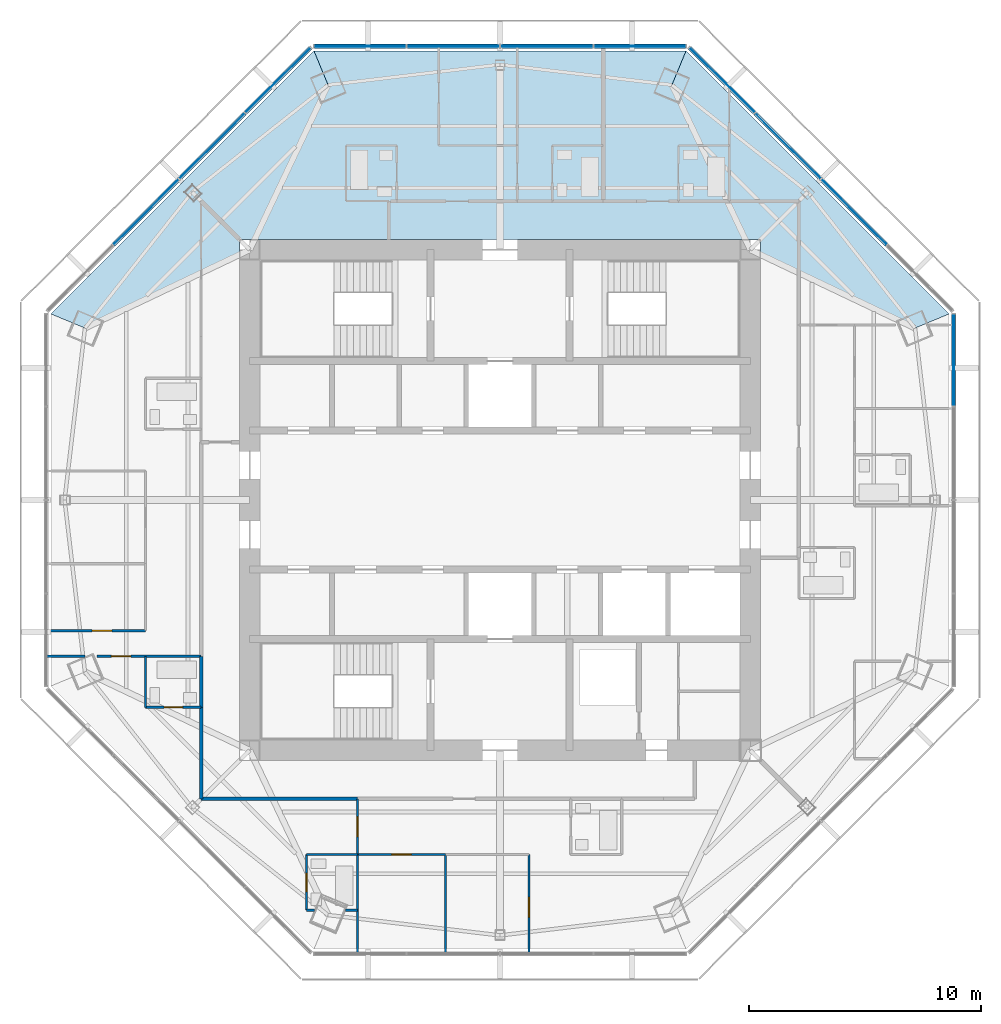
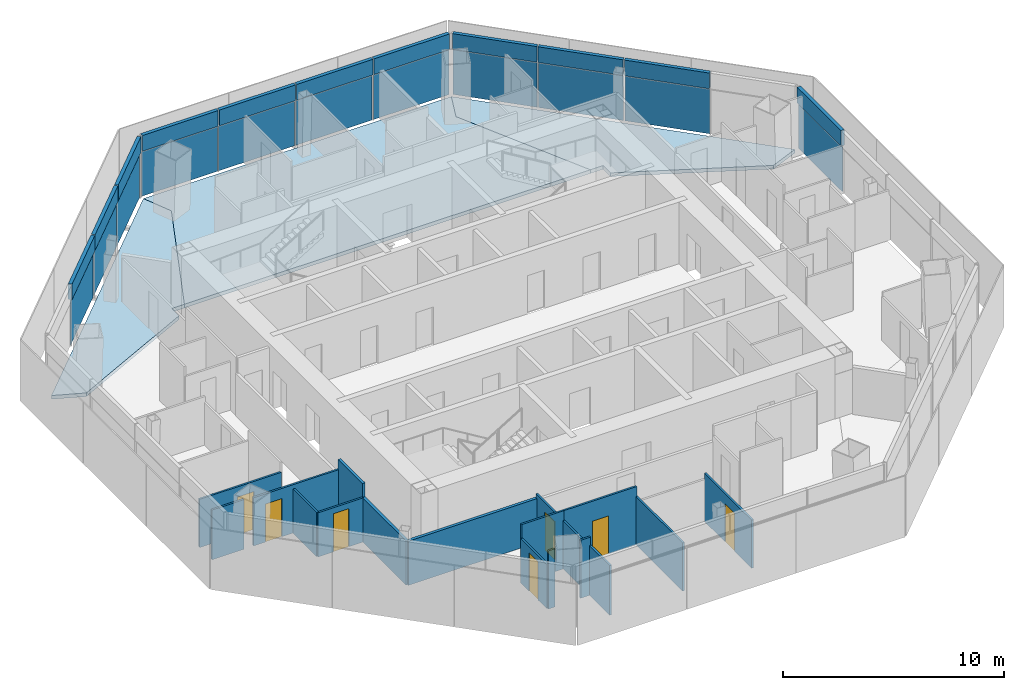
# One storey, part 8 of 15: 22 plates, 18 walls, 7 doors, 3 slabs, 7 openings, 4 elements without a shape of their own.
"""IFC4 building model written with IfcOpenShell, lengths in metres."""

from ifc_helpers import new_model, si_unit, direction, frame, frame_2d, origin, origin_2d, place, context, subcontext, project, spatial, polyline, rectangle, outline, extrude, source, transform, mapped, material, layer, layer_set, type_object, type_shapes, element, fill, aggregate, save


model = new_model("IFC4")

# Units and contexts
model_context = context("Model", 3, precision=1e-05, world=origin(), true_north=direction((0.0, 1.0)))
body_context = subcontext(model_context, "Body", "Model", "MODEL_VIEW")
ifc_project = project(units=[si_unit("LENGTHUNIT", "METRE"), si_unit("AREAUNIT", "SQUARE_METRE"), si_unit("VOLUMEUNIT", "CUBIC_METRE"), si_unit("PLANEANGLEUNIT", "RADIAN"), si_unit("MASSUNIT", "GRAM", prefix="KILO")], contexts=[model_context])

# Site, building, storey
site_placement = place(None, origin())
site = spatial("IfcSite", under=ifc_project, at=site_placement, CompositionType="ELEMENT")
building_placement = place(site_placement, origin())
building = spatial("IfcBuilding", under=site, at=building_placement, Name="Mashrafa Tower", CompositionType="ELEMENT")
storey_placement = place(building_placement, frame((0.0, 0.0, 298.0)))
storey = spatial("IfcBuildingStorey", under=building, at=storey_placement, Name="L73", CompositionType="ELEMENT", Elevation=298.0)

# Slabs
ifc_material_1 = material(Name="Concrete C35/45", Category="concrete")
ifc_layer_1 = layer(ifc_material_1, 0.199951171875)
ifc_layer_set_1 = layer_set([ifc_layer_1], Name="Floor slab 200")
slab_type = type_object("IfcSlabType", Name="Floor slab 200", PredefinedType="FLOOR", material=ifc_layer_set_1)
slab_1_placement = place(storey_placement, frame((0.0, 0.0, -0.199951171875)))
element("IfcSlab", 1, at=slab_1_placement, inside=storey, type_object=slab_type, Name="Floor slab L73 north-east bay", PredefinedType="FLOOR", context=body_context, shape_type="SweptSolid", body=[
    extrude(outline(polyline([(19.384765625, 8.029541015625), (17.912109375, 7.41943359375), (11.25, 10.586181640625), (11.25, 11.25), (10.586181640625, 11.25), (7.41943359375, 17.912109375), (8.029541015625, 19.384765625), (19.384765625, 8.029541015625)])), origin(), (0.0, 0.0, 1.0), 0.199951171875),
])
slab_2_placement = place(storey_placement, frame((0.0, 0.0, -0.199951171875)))
element("IfcSlab", 2, at=slab_2_placement, inside=storey, type_object=slab_type, Name="Floor slab L73 north bay", PredefinedType="FLOOR", context=body_context, shape_type="SweptSolid", body=[
    extrude(outline(polyline([(-8.029296875, 19.384765625), (8.029296875, 19.384765625), (8.029541015625, 19.384765625), (7.41943359375, 17.912109375), (10.586181640625, 11.25), (-10.586181640625, 11.25), (-7.41943359375, 17.912109375), (-8.029541015625, 19.384765625), (-8.029296875, 19.384765625)])), origin(), (0.0, 0.0, 1.0), 0.199951171875),
])
slab_3_placement = place(storey_placement, frame((0.0, 0.0, -0.199951171875)))
element("IfcSlab", 3, at=slab_3_placement, inside=storey, type_object=slab_type, Name="Floor slab L73 north-west bay", PredefinedType="FLOOR", context=body_context, shape_type="SweptSolid", body=[
    extrude(outline(polyline([(-8.029541015625, 19.384765625), (-7.41943359375, 17.912109375), (-10.586181640625, 11.25), (-11.25, 11.25), (-11.25, 10.586181640625), (-17.912109375, 7.41943359375), (-19.384765625, 8.029541015625), (-8.029541015625, 19.384765625)])), origin(), (0.0, 0.0, 1.0), 0.199951171875),
])

# Curtain wall, plate
ifc_material_2 = material(Name="Unitised aluminium curtain wall", Category="aluminium")
curtain_wall_type = type_object("IfcCurtainWallType", Name="Apartment curtain wall, zone 4 CW-D 160 deep", PredefinedType="NOTDEFINED", material=ifc_material_2)
curtain_wall_1_placement = place(storey_placement, origin())
curtain_wall_1 = element("IfcCurtainWall", 4, at=curtain_wall_1_placement, inside=storey, type_object=curtain_wall_type, Name="Apartment curtain wall, zone 4 L73 east", PredefinedType="NOTDEFINED")
ifc_material_3 = material(Name="Insulated double glazing, acoustic", Category="glass")
ifc_layer_2 = layer(ifc_material_3, 0.028076171875)
ifc_layer_set_2 = layer_set([ifc_layer_2], Name="Vision panel CW-D 28")
plate_type_1 = type_object("IfcPlateType", Name="Vision panel CW-D 28", PredefinedType="CURTAIN_PANEL", material=ifc_layer_set_2)
shared_shape_1 = source(origin(), body_context, "Body", "SweptSolid", [
    extrude(rectangle(XDim=3.944580078125, YDim=0.028076171875, at=origin_2d()), origin(), (0.0, 0.0, 1.0), 2.46240234375),
])
plate_1_placement = place(storey_placement, frame((19.584716796875, 6.036865234375, 0.0), z_axis=(0.0, 0.0, 1.0), x_axis=(0.0, 1.0, 0.0)))
plate_1 = element("IfcPlate", 5, at=plate_1_placement, type_object=plate_type_1, Name="CW-D vision panel 4", PredefinedType="CURTAIN_PANEL", context=body_context, shape_type="MappedRepresentation", body=[
    mapped(shared_shape_1, transform((0.0, 0.0, 0.0))),
])

curtain_wall_2_placement = place(storey_placement, origin())
curtain_wall_2 = element("IfcCurtainWall", 6, at=curtain_wall_2_placement, inside=storey, type_object=curtain_wall_type, Name="Apartment curtain wall, zone 4 L73 north-east", PredefinedType="NOTDEFINED")
plate_2_placement = place(storey_placement, frame((9.579833984375, 18.1171875, 0.0), z_axis=(0.0, 0.0, 1.0), x_axis=(-0.707106781187, 0.707106781187, 0.0)))
plate_2 = element("IfcPlate", 7, at=plate_2_placement, type_object=plate_type_1, Name="CW-D vision panel 4", PredefinedType="CURTAIN_PANEL", context=body_context, shape_type="MappedRepresentation", body=[
    mapped(shared_shape_1, transform((0.0, 0.0, 0.0))),
])

# Curtain wall, plates
curtain_wall_3_placement = place(storey_placement, origin())
curtain_wall_3 = element("IfcCurtainWall", 8, at=curtain_wall_3_placement, inside=storey, type_object=curtain_wall_type, Name="Apartment curtain wall, zone 4 L73 north", PredefinedType="NOTDEFINED")
plate_3_placement = place(storey_placement, frame((6.036865234375, 19.584716796875, 0.0), z_axis=(0.0, 0.0, 1.0), x_axis=(-1.0, 0.0, 0.0)))
plate_3 = element("IfcPlate", 9, at=plate_3_placement, type_object=plate_type_1, Name="CW-D vision panel 1", PredefinedType="CURTAIN_PANEL", context=body_context, shape_type="MappedRepresentation", body=[
    mapped(shared_shape_1, transform((0.0, 0.0, 0.0))),
])
plate_4_placement = place(storey_placement, frame((-6.036865234375, 19.584716796875, 0.0), z_axis=(0.0, 0.0, 1.0), x_axis=(-1.0, 0.0, 0.0)))
plate_4 = element("IfcPlate", 10, at=plate_4_placement, type_object=plate_type_1, Name="CW-D vision panel 4", PredefinedType="CURTAIN_PANEL", context=body_context, shape_type="MappedRepresentation", body=[
    mapped(shared_shape_1, transform((0.0, 0.0, 0.0))),
])

# Curtain wall, plate
curtain_wall_4_placement = place(storey_placement, origin())
curtain_wall_4 = element("IfcCurtainWall", 11, at=curtain_wall_4_placement, inside=storey, type_object=curtain_wall_type, Name="Apartment curtain wall, zone 4 L73 north-west", PredefinedType="NOTDEFINED")
plate_5_placement = place(storey_placement, frame((-9.579833984375, 18.1171875, 0.0), z_axis=(0.0, 0.0, 1.0), x_axis=(-0.707106781187, -0.707106781187, 0.0)))
plate_5 = element("IfcPlate", 12, at=plate_5_placement, type_object=plate_type_1, Name="CW-D vision panel 1", PredefinedType="CURTAIN_PANEL", context=body_context, shape_type="MappedRepresentation", body=[
    mapped(shared_shape_1, transform((0.0, 0.0, 0.0))),
])

# Plate
ifc_material_4 = material(Name="Insulated bronze aluminium spandrel panel", Category="aluminium")
ifc_layer_3 = layer(ifc_material_4, 0.179931640625)
ifc_layer_set_3 = layer_set([ifc_layer_3], Name="Spandrel panel CW-D 180")
plate_type_2 = type_object("IfcPlateType", Name="Spandrel panel CW-D 180", PredefinedType="CURTAIN_PANEL", material=ifc_layer_set_3)
shared_shape_2 = source(origin(), body_context, "Body", "SweptSolid", [
    extrude(rectangle(XDim=3.944580078125, YDim=0.179931640625, at=origin_2d()), origin(), (0.0, 0.0, 1.0), 0.862548828125),
])
plate_6_placement = place(storey_placement, frame((19.584716796875, 6.036865234375, 2.53759765625), z_axis=(0.0, 0.0, 1.0), x_axis=(0.0, 1.0, 0.0)))
plate_6 = element("IfcPlate", 13, at=plate_6_placement, type_object=plate_type_2, Name="CW-D spandrel panel 4", PredefinedType="CURTAIN_PANEL", context=body_context, shape_type="MappedRepresentation", body=[
    mapped(shared_shape_2, transform((0.0, 0.0, 0.0))),
])

aggregate(curtain_wall_1, [plate_1, plate_6])

plate_7_placement = place(storey_placement, frame((9.579833984375, 18.1171875, 2.53759765625), z_axis=(0.0, 0.0, 1.0), x_axis=(-0.707106781187, 0.707106781187, 0.0)))
plate_7 = element("IfcPlate", 14, at=plate_7_placement, type_object=plate_type_2, Name="CW-D spandrel panel 4", PredefinedType="CURTAIN_PANEL", context=body_context, shape_type="MappedRepresentation", body=[
    mapped(shared_shape_2, transform((0.0, 0.0, 0.0))),
])

plate_8_placement = place(storey_placement, frame((6.036865234375, 19.584716796875, 2.53759765625), z_axis=(0.0, 0.0, 1.0), x_axis=(-1.0, 0.0, 0.0)))
plate_8 = element("IfcPlate", 15, at=plate_8_placement, type_object=plate_type_2, Name="CW-D spandrel panel 1", PredefinedType="CURTAIN_PANEL", context=body_context, shape_type="MappedRepresentation", body=[
    mapped(shared_shape_2, transform((0.0, 0.0, 0.0))),
])

plate_9_placement = place(storey_placement, frame((-6.036865234375, 19.584716796875, 2.53759765625), z_axis=(0.0, 0.0, 1.0), x_axis=(-1.0, 0.0, 0.0)))
plate_9 = element("IfcPlate", 16, at=plate_9_placement, type_object=plate_type_2, Name="CW-D spandrel panel 4", PredefinedType="CURTAIN_PANEL", context=body_context, shape_type="MappedRepresentation", body=[
    mapped(shared_shape_2, transform((0.0, 0.0, 0.0))),
])

plate_10_placement = place(storey_placement, frame((-9.579833984375, 18.1171875, 2.53759765625), z_axis=(0.0, 0.0, 1.0), x_axis=(-0.707106781187, -0.707106781187, 0.0)))
plate_10 = element("IfcPlate", 17, at=plate_10_placement, type_object=plate_type_2, Name="CW-D spandrel panel 1", PredefinedType="CURTAIN_PANEL", context=body_context, shape_type="MappedRepresentation", body=[
    mapped(shared_shape_2, transform((0.0, 0.0, 0.0))),
])

shared_shape_3 = source(origin(), body_context, "Body", "SweptSolid", [
    extrude(rectangle(XDim=3.974609375, YDim=0.028076171875, at=origin_2d()), origin(), (0.0, 0.0, 1.0), 2.46240234375),
])
type_shapes(plate_type_1, [shared_shape_1, shared_shape_3])
plate_11_placement = place(storey_placement, frame((15.27490234375, 12.422119140625, 0.0), z_axis=(0.0, 0.0, 1.0), x_axis=(-0.707106781187, 0.707106781187, 0.0)))
plate_11 = element("IfcPlate", 18, at=plate_11_placement, type_object=plate_type_1, Name="CW-D vision panel 2", PredefinedType="CURTAIN_PANEL", context=body_context, shape_type="MappedRepresentation", body=[
    mapped(shared_shape_3, transform((0.0, 0.0, 0.0))),
])

plate_12_placement = place(storey_placement, frame((12.422119140625, 15.27490234375, 0.0), z_axis=(0.0, 0.0, 1.0), x_axis=(-0.707106781187, 0.707106781187, 0.0)))
plate_12 = element("IfcPlate", 19, at=plate_12_placement, type_object=plate_type_1, Name="CW-D vision panel 3", PredefinedType="CURTAIN_PANEL", context=body_context, shape_type="MappedRepresentation", body=[
    mapped(shared_shape_3, transform((0.0, 0.0, 0.0))),
])

plate_13_placement = place(storey_placement, frame((2.017333984375, 19.584716796875, 0.0), z_axis=(0.0, 0.0, 1.0), x_axis=(-1.0, 0.0, 0.0)))
plate_13 = element("IfcPlate", 20, at=plate_13_placement, type_object=plate_type_1, Name="CW-D vision panel 2", PredefinedType="CURTAIN_PANEL", context=body_context, shape_type="MappedRepresentation", body=[
    mapped(shared_shape_3, transform((0.0, 0.0, 0.0))),
])

plate_14_placement = place(storey_placement, frame((-2.017333984375, 19.584716796875, 0.0), z_axis=(0.0, 0.0, 1.0), x_axis=(-1.0, 0.0, 0.0)))
plate_14 = element("IfcPlate", 21, at=plate_14_placement, type_object=plate_type_1, Name="CW-D vision panel 3", PredefinedType="CURTAIN_PANEL", context=body_context, shape_type="MappedRepresentation", body=[
    mapped(shared_shape_3, transform((0.0, 0.0, 0.0))),
])

plate_15_placement = place(storey_placement, frame((-12.422119140625, 15.27490234375, 0.0), z_axis=(0.0, 0.0, 1.0), x_axis=(-0.707106781187, -0.707106781187, 0.0)))
plate_15 = element("IfcPlate", 22, at=plate_15_placement, type_object=plate_type_1, Name="CW-D vision panel 2", PredefinedType="CURTAIN_PANEL", context=body_context, shape_type="MappedRepresentation", body=[
    mapped(shared_shape_3, transform((0.0, 0.0, 0.0))),
])

plate_16_placement = place(storey_placement, frame((-15.27490234375, 12.422119140625, 0.0), z_axis=(0.0, 0.0, 1.0), x_axis=(-0.707106781187, -0.707106781187, 0.0)))
plate_16 = element("IfcPlate", 23, at=plate_16_placement, type_object=plate_type_1, Name="CW-D vision panel 3", PredefinedType="CURTAIN_PANEL", context=body_context, shape_type="MappedRepresentation", body=[
    mapped(shared_shape_3, transform((0.0, 0.0, 0.0))),
])

shared_shape_4 = source(origin(), body_context, "Body", "SweptSolid", [
    extrude(rectangle(XDim=3.974609375, YDim=0.179931640625, at=origin_2d()), origin(), (0.0, 0.0, 1.0), 0.862548828125),
])
type_shapes(plate_type_2, [shared_shape_2, shared_shape_4])
plate_17_placement = place(storey_placement, frame((15.27490234375, 12.422119140625, 2.53759765625), z_axis=(0.0, 0.0, 1.0), x_axis=(-0.707106781187, 0.707106781187, 0.0)))
plate_17 = element("IfcPlate", 24, at=plate_17_placement, type_object=plate_type_2, Name="CW-D spandrel panel 2", PredefinedType="CURTAIN_PANEL", context=body_context, shape_type="MappedRepresentation", body=[
    mapped(shared_shape_4, transform((0.0, 0.0, 0.0))),
])

plate_18_placement = place(storey_placement, frame((12.422119140625, 15.27490234375, 2.53759765625), z_axis=(0.0, 0.0, 1.0), x_axis=(-0.707106781187, 0.707106781187, 0.0)))
plate_18 = element("IfcPlate", 25, at=plate_18_placement, type_object=plate_type_2, Name="CW-D spandrel panel 3", PredefinedType="CURTAIN_PANEL", context=body_context, shape_type="MappedRepresentation", body=[
    mapped(shared_shape_4, transform((0.0, 0.0, 0.0))),
])

aggregate(curtain_wall_2, [plate_11, plate_17, plate_12, plate_18, plate_2, plate_7])

plate_19_placement = place(storey_placement, frame((2.017333984375, 19.584716796875, 2.53759765625), z_axis=(0.0, 0.0, 1.0), x_axis=(-1.0, 0.0, 0.0)))
plate_19 = element("IfcPlate", 26, at=plate_19_placement, type_object=plate_type_2, Name="CW-D spandrel panel 2", PredefinedType="CURTAIN_PANEL", context=body_context, shape_type="MappedRepresentation", body=[
    mapped(shared_shape_4, transform((0.0, 0.0, 0.0))),
])

plate_20_placement = place(storey_placement, frame((-2.017333984375, 19.584716796875, 2.53759765625), z_axis=(0.0, 0.0, 1.0), x_axis=(-1.0, 0.0, 0.0)))
plate_20 = element("IfcPlate", 27, at=plate_20_placement, type_object=plate_type_2, Name="CW-D spandrel panel 3", PredefinedType="CURTAIN_PANEL", context=body_context, shape_type="MappedRepresentation", body=[
    mapped(shared_shape_4, transform((0.0, 0.0, 0.0))),
])

aggregate(curtain_wall_3, [plate_3, plate_8, plate_13, plate_19, plate_14, plate_20, plate_4, plate_9])

plate_21_placement = place(storey_placement, frame((-12.422119140625, 15.27490234375, 2.53759765625), z_axis=(0.0, 0.0, 1.0), x_axis=(-0.707106781187, -0.707106781187, 0.0)))
plate_21 = element("IfcPlate", 28, at=plate_21_placement, type_object=plate_type_2, Name="CW-D spandrel panel 2", PredefinedType="CURTAIN_PANEL", context=body_context, shape_type="MappedRepresentation", body=[
    mapped(shared_shape_4, transform((0.0, 0.0, 0.0))),
])

plate_22_placement = place(storey_placement, frame((-15.27490234375, 12.422119140625, 2.53759765625), z_axis=(0.0, 0.0, 1.0), x_axis=(-0.707106781187, -0.707106781187, 0.0)))
plate_22 = element("IfcPlate", 29, at=plate_22_placement, type_object=plate_type_2, Name="CW-D spandrel panel 3", PredefinedType="CURTAIN_PANEL", context=body_context, shape_type="MappedRepresentation", body=[
    mapped(shared_shape_4, transform((0.0, 0.0, 0.0))),
])

aggregate(curtain_wall_4, [plate_5, plate_10, plate_15, plate_21, plate_16, plate_22])

# Walls
ifc_material_5 = material(Name="Gypsum board on steel studs", Category="steel")
ifc_layer_4 = layer(ifc_material_5, 0.14990234375)
ifc_layer_set_4 = layer_set([ifc_layer_4], Name="Corridor partition 150 1 hr")
wall_type_1 = type_object("IfcWallType", Name="Corridor partition 150 1 hr", PredefinedType="PARTITIONING", material=ifc_layer_set_4)
wall_1_placement = place(storey_placement, frame((-12.89990234375, -6.7490234375, 0.0), z_axis=(0.0, 0.0, 1.0), x_axis=(0.0, -1.0, 0.0)))
element("IfcWall", 30, at=wall_1_placement, inside=storey, type_object=wall_type_1, Name="Corridor wall L73-014", PredefinedType="PARTITIONING", context=body_context, shape_type="SweptSolid", body=[
    extrude(rectangle(XDim=2.201904296875, YDim=0.14990234375, at=frame_2d((1.10107421875, 0.0))), origin(), (0.0, 0.0, 1.0), 3.199951171875),
])
wall_2_placement = place(storey_placement, frame((-12.89990234375, -8.948974609375, 0.0), z_axis=(0.0, 0.0, 1.0), x_axis=(0.0, -1.0, 0.0)))
element("IfcWall", 31, at=wall_2_placement, inside=storey, type_object=wall_type_1, Name="Corridor wall L73-015", PredefinedType="PARTITIONING", context=body_context, shape_type="SweptSolid", body=[
    extrude(rectangle(XDim=3.950927734375, YDim=0.14990234375, at=frame_2d((1.9755859375, 0.0))), origin(), (0.0, 0.0, 1.0), 2.435546875),
])
wall_3_placement = place(storey_placement, frame((-12.89990234375, -12.89990234375, 0.0), z_axis=(0.0, 0.0, 1.0), x_axis=(1.0, 0.0, 0.0)))
element("IfcWall", 32, at=wall_3_placement, inside=storey, type_object=wall_type_1, Name="Corridor wall L73-019", PredefinedType="PARTITIONING", context=body_context, shape_type="SweptSolid", body=[
    extrude(rectangle(XDim=6.7509765625, YDim=0.14990234375, at=frame_2d((3.37548828125, 0.0))), origin(), (0.0, 0.0, 1.0), 2.435546875),
])

# Wall, opening, door
ifc_material_6 = material(Name="Gypsum board on steel studs", Category="steel")
ifc_layer_5 = layer(ifc_material_6, 0.10009765625)
ifc_layer_set_5 = layer_set([ifc_layer_5], Name="Partition 100")
wall_type_2 = type_object("IfcWallType", Name="Partition 100", PredefinedType="PARTITIONING", material=ifc_layer_set_5)
wall_4_placement = place(storey_placement, frame((-19.568603515625, -5.639404296875, 0.0), z_axis=(0.0, 0.0, 1.0), x_axis=(1.0, 0.0, 0.0)))
wall_4 = element("IfcWall", 33, at=wall_4_placement, inside=storey, type_object=wall_type_2, Name="Partition wall L73-025", PredefinedType="PARTITIONING", context=body_context, shape_type="SweptSolid", body=[
    extrude(rectangle(XDim=4.2685546875, YDim=0.10009765625, at=frame_2d((2.13427734375, 0.0))), origin(), (0.0, 0.0, 1.0), 2.66162109375),
])
opening_1_placement = place(wall_4_placement, frame((1.970947265625, 0.0, 0.0)))
opening_1 = element("IfcOpeningElement", 34, at=opening_1_placement, cuts=wall_4, Name="Opening 73.001", PredefinedType="OPENING", context=body_context, shape_type="SweptSolid", body=[
    extrude(rectangle(XDim=0.85009765625, YDim=2.10009765625, at=frame_2d((0.425048828125, 1.050048828125))), frame((0.0, 0.06005859375, 0.0), z_axis=(0.0, -1.0, 0.0), x_axis=(1.0, 0.0, 0.0)), (0.0, 0.0, 1.0), 0.1201171875),
])
ifc_material_7 = material(Name="Timber door", Category="wood")
door_type_1 = type_object("IfcDoorType", Name="Bedroom door 850 x 2100", OperationType="USERDEFINED", PredefinedType="DOOR", material=ifc_material_7)
door_1_placement = place(opening_1_placement, origin())
door_1 = element("IfcDoor", 35, at=door_1_placement, inside=storey, type_object=door_type_1, Name="Apartment 7304 Dining Room door", OperationType="SINGLE_SWING_RIGHT", OverallHeight=2.10009765625, OverallWidth=0.85009765625, PredefinedType="DOOR", context=body_context, shape_type="SweptSolid", body=[
    extrude(rectangle(XDim=0.85009765625, YDim=2.10009765625, at=frame_2d((0.425048828125, 1.050048828125))), frame((0.0, 0.02490234375, 0.0), z_axis=(0.0, -1.0, 0.0), x_axis=(1.0, 0.0, 0.0)), (0.0, 0.0, 1.0), 0.050048828125),
])
fill(opening_1, door_1)

# Wall
wall_5_placement = place(storey_placement, frame((-15.300048828125, -6.75, 0.0), z_axis=(0.0, 0.0, 1.0), x_axis=(0.0, -1.0, 0.0)))
element("IfcWall", 36, at=wall_5_placement, inside=storey, type_object=wall_type_2, Name="Partition wall L73-071", PredefinedType="PARTITIONING", context=body_context, shape_type="SweptSolid", body=[
    extrude(rectangle(XDim=2.199951171875, YDim=0.10009765625, at=frame_2d((1.10009765625, 0.0))), origin(), (0.0, 0.0, 1.0), 2.435546875),
])

# Wall, opening, door
wall_6_placement = place(storey_placement, frame((-15.300048828125, -8.949951171875, 0.0), z_axis=(0.0, 0.0, 1.0), x_axis=(1.0, 0.0, 0.0)))
wall_6 = element("IfcWall", 37, at=wall_6_placement, inside=storey, type_object=wall_type_2, Name="Partition wall L73-072", PredefinedType="PARTITIONING", context=body_context, shape_type="SweptSolid", body=[
    extrude(rectangle(XDim=2.400146484375, YDim=0.10009765625, at=frame_2d((1.2001953125, 0.0))), origin(), (0.0, 0.0, 1.0), 2.435546875),
])
opening_2_placement = place(wall_6_placement, frame((0.800048828125, 0.0, 0.0)))
opening_2 = element("IfcOpeningElement", 38, at=opening_2_placement, cuts=wall_6, Name="Opening 73.019", PredefinedType="OPENING", context=body_context, shape_type="SweptSolid", body=[
    extrude(rectangle(XDim=0.800048828125, YDim=2.10009765625, at=frame_2d((0.39990234375, 1.050048828125))), frame((0.0, 0.06005859375, 0.0), z_axis=(0.0, -1.0, 0.0), x_axis=(1.0, 0.0, 0.0)), (0.0, 0.0, 1.0), 0.1201171875),
])
ifc_material_8 = material(Name="Timber door", Category="wood")
door_type_2 = type_object("IfcDoorType", Name="Bathroom door 800 x 2100", OperationType="USERDEFINED", PredefinedType="DOOR", material=ifc_material_8)
door_2_placement = place(opening_2_placement, origin())
door_2 = element("IfcDoor", 39, at=door_2_placement, inside=storey, type_object=door_type_2, Name="Apartment 7304 En-suite Bathroom door", OperationType="SINGLE_SWING_LEFT", OverallHeight=2.10009765625, OverallWidth=0.800048828125, PredefinedType="DOOR", context=body_context, shape_type="SweptSolid", body=[
    extrude(rectangle(XDim=0.800048828125, YDim=2.10009765625, at=frame_2d((0.39990234375, 1.050048828125))), frame((0.0, 0.02490234375, 0.0), z_axis=(0.0, -1.0, 0.0), x_axis=(1.0, 0.0, 0.0)), (0.0, 0.0, 1.0), 0.050048828125),
])
fill(opening_2, door_2)

wall_7_placement = place(storey_placement, frame((-12.89990234375, -6.75, 0.0), z_axis=(0.0, 0.0, 1.0), x_axis=(-1.0, 0.0, 0.0)))
wall_7 = element("IfcWall", 40, at=wall_7_placement, inside=storey, type_object=wall_type_2, Name="Partition wall L73-073", PredefinedType="PARTITIONING", context=body_context, shape_type="SweptSolid", body=[
    extrude(rectangle(XDim=4.5, YDim=0.10009765625, at=frame_2d((2.25, 0.0))), origin(), (0.0, 0.0, 1.0), 2.66162109375),
])
opening_3_placement = place(wall_7_placement, frame((3.02490234375, 0.0, 0.0)))
opening_3 = element("IfcOpeningElement", 41, at=opening_3_placement, cuts=wall_7, Name="Opening 73.020", PredefinedType="OPENING", context=body_context, shape_type="SweptSolid", body=[
    extrude(rectangle(XDim=0.85009765625, YDim=2.10009765625, at=frame_2d((0.425048828125, 1.050048828125))), frame((0.0, 0.06005859375, 0.0), z_axis=(0.0, -1.0, 0.0), x_axis=(1.0, 0.0, 0.0)), (0.0, 0.0, 1.0), 0.1201171875),
])
door_3_placement = place(opening_3_placement, origin())
door_3 = element("IfcDoor", 42, at=door_3_placement, inside=storey, type_object=door_type_1, Name="Apartment 7304 Bedroom 2 door", OperationType="SINGLE_SWING_LEFT", OverallHeight=2.10009765625, OverallWidth=0.85009765625, PredefinedType="DOOR", context=body_context, shape_type="SweptSolid", body=[
    extrude(rectangle(XDim=0.85009765625, YDim=2.10009765625, at=frame_2d((0.425048828125, 1.050048828125))), frame((0.0, 0.02490234375, 0.0), z_axis=(0.0, -1.0, 0.0), x_axis=(1.0, 0.0, 0.0)), (0.0, 0.0, 1.0), 0.050048828125),
])
fill(opening_3, door_3)

# Walls
wall_8_placement = place(storey_placement, frame((-17.91357421875, -6.75, 0.0), z_axis=(0.0, 0.0, 1.0), x_axis=(-1.0, 0.0, 0.0)))
element("IfcWall", 43, at=wall_8_placement, inside=storey, type_object=wall_type_2, Name="Partition wall L73-075", PredefinedType="PARTITIONING", context=body_context, shape_type="SweptSolid", body=[
    extrude(rectangle(XDim=1.653076171875, YDim=0.10009765625, at=frame_2d((0.82666015625, 0.0))), origin(), (0.0, 0.0, 1.0), 2.740478515625),
])
wall_9_placement = place(storey_placement, frame((-2.35009765625, -15.300048828125, 0.0), z_axis=(0.0, 0.0, 1.0), x_axis=(0.0, -1.0, 0.0)))
element("IfcWall", 44, at=wall_9_placement, inside=storey, type_object=wall_type_2, Name="Partition wall L73-081", PredefinedType="PARTITIONING", context=body_context, shape_type="SweptSolid", body=[
    extrude(rectangle(XDim=4.2666015625, YDim=0.10009765625, at=frame_2d((2.13330078125, 0.0))), origin(), (0.0, 0.0, 1.0), 2.66162109375),
])

# Wall, opening, door
wall_10_placement = place(storey_placement, frame((1.25, -19.568603515625, 0.0), z_axis=(0.0, 0.0, 1.0), x_axis=(0.0, 1.0, 0.0)))
wall_10 = element("IfcWall", 45, at=wall_10_placement, inside=storey, type_object=wall_type_2, Name="Partition wall L73-082", PredefinedType="PARTITIONING", context=body_context, shape_type="SweptSolid", body=[
    extrude(rectangle(XDim=4.2685546875, YDim=0.10009765625, at=frame_2d((2.13427734375, 0.0))), origin(), (0.0, 0.0, 1.0), 2.66162109375),
])
opening_4_placement = place(wall_10_placement, frame((1.5712890625, 0.0, 0.0)))
opening_4 = element("IfcOpeningElement", 46, at=opening_4_placement, cuts=wall_10, Name="Opening 73.023", PredefinedType="OPENING", context=body_context, shape_type="SweptSolid", body=[
    extrude(rectangle(XDim=0.85009765625, YDim=2.10009765625, at=frame_2d((0.425048828125, 1.050048828125))), frame((0.0, 0.06005859375, 0.0), z_axis=(0.0, -1.0, 0.0), x_axis=(1.0, 0.0, 0.0)), (0.0, 0.0, 1.0), 0.1201171875),
])
door_4_placement = place(opening_4_placement, origin())
door_4 = element("IfcDoor", 47, at=door_4_placement, inside=storey, type_object=door_type_1, Name="Apartment 7305 Majlis door", OperationType="SINGLE_SWING_LEFT", OverallHeight=2.10009765625, OverallWidth=0.85009765625, PredefinedType="DOOR", context=body_context, shape_type="SweptSolid", body=[
    extrude(rectangle(XDim=0.85009765625, YDim=2.10009765625, at=frame_2d((0.425048828125, 1.050048828125))), frame((0.0, 0.02490234375, 0.0), z_axis=(0.0, -1.0, 0.0), x_axis=(1.0, 0.0, 0.0)), (0.0, 0.0, 1.0), 0.050048828125),
])
fill(opening_4, door_4)

# Walls
wall_11_placement = place(storey_placement, frame((-6.14990234375, -15.300048828125, 0.0), z_axis=(0.0, 0.0, 1.0), x_axis=(0.0, -1.0, 0.0)))
element("IfcWall", 48, at=wall_11_placement, inside=storey, type_object=wall_type_2, Name="Partition wall L73-084", PredefinedType="PARTITIONING", context=body_context, shape_type="SweptSolid", body=[
    extrude(rectangle(XDim=2.40087890625, YDim=0.10009765625, at=frame_2d((1.200439453125, 0.0))), origin(), (0.0, 0.0, 1.0), 2.66162109375),
])
wall_12_placement = place(storey_placement, frame((-6.14990234375, -17.698974609375, 0.0), z_axis=(0.0, 0.0, 1.0), x_axis=(0.0, -1.0, 0.0)))
element("IfcWall", 49, at=wall_12_placement, inside=storey, type_object=wall_type_2, Name="Partition wall L73-085", PredefinedType="PARTITIONING", context=body_context, shape_type="SweptSolid", body=[
    extrude(rectangle(XDim=1.86767578125, YDim=0.10009765625, at=frame_2d((0.933837890625, 0.0))), origin(), (0.0, 0.0, 1.0), 2.740478515625),
])

# Wall, opening, door
wall_13_placement = place(storey_placement, frame((-2.35009765625, -15.300048828125, 0.0), z_axis=(0.0, 0.0, 1.0), x_axis=(-1.0, 0.0, 0.0)))
wall_13 = element("IfcWall", 50, at=wall_13_placement, inside=storey, type_object=wall_type_2, Name="Partition wall L73-086", PredefinedType="PARTITIONING", context=body_context, shape_type="SweptSolid", body=[
    extrude(rectangle(XDim=3.7998046875, YDim=0.10009765625, at=frame_2d((1.89990234375, 0.0))), origin(), (0.0, 0.0, 1.0), 3.199951171875),
])
opening_5_placement = place(wall_13_placement, frame((1.47509765625, 0.0, 0.0)))
opening_5 = element("IfcOpeningElement", 51, at=opening_5_placement, cuts=wall_13, Name="Opening 73.024", PredefinedType="OPENING", context=body_context, shape_type="SweptSolid", body=[
    extrude(rectangle(XDim=0.85009765625, YDim=2.10009765625, at=frame_2d((0.425048828125, 1.050048828125))), frame((0.0, 0.06005859375, 0.0), z_axis=(0.0, -1.0, 0.0), x_axis=(1.0, 0.0, 0.0)), (0.0, 0.0, 1.0), 0.1201171875),
])
door_5_placement = place(opening_5_placement, origin())
door_5 = element("IfcDoor", 52, at=door_5_placement, inside=storey, type_object=door_type_1, Name="Apartment 7305 Bedroom 1 door", OperationType="SINGLE_SWING_LEFT", OverallHeight=2.10009765625, OverallWidth=0.85009765625, PredefinedType="DOOR", context=body_context, shape_type="SweptSolid", body=[
    extrude(rectangle(XDim=0.85009765625, YDim=2.10009765625, at=frame_2d((0.425048828125, 1.050048828125))), frame((0.0, 0.02490234375, 0.0), z_axis=(0.0, -1.0, 0.0), x_axis=(1.0, 0.0, 0.0)), (0.0, 0.0, 1.0), 0.050048828125),
])
fill(opening_5, door_5)

# Wall
wall_14_placement = place(storey_placement, frame((-6.14990234375, -15.300048828125, 0.0), z_axis=(0.0, 0.0, 1.0), x_axis=(-1.0, 0.0, 0.0)))
element("IfcWall", 53, at=wall_14_placement, inside=storey, type_object=wall_type_2, Name="Partition wall L73-087", PredefinedType="PARTITIONING", context=body_context, shape_type="SweptSolid", body=[
    extrude(rectangle(XDim=2.2001953125, YDim=0.10009765625, at=frame_2d((1.10009765625, 0.0))), origin(), (0.0, 0.0, 1.0), 3.199951171875),
])

# Wall, opening, door
wall_15_placement = place(storey_placement, frame((-8.35009765625, -15.300048828125, 0.0), z_axis=(0.0, 0.0, 1.0), x_axis=(0.0, -1.0, 0.0)))
wall_15 = element("IfcWall", 54, at=wall_15_placement, inside=storey, type_object=wall_type_2, Name="Partition wall L73-088", PredefinedType="PARTITIONING", context=body_context, shape_type="SweptSolid", body=[
    extrude(rectangle(XDim=2.39990234375, YDim=0.10009765625, at=frame_2d((1.199951171875, 0.0))), origin(), (0.0, 0.0, 1.0), 2.435546875),
])
opening_6_placement = place(wall_15_placement, frame((0.800048828125, 0.0, 0.0)))
opening_6 = element("IfcOpeningElement", 55, at=opening_6_placement, cuts=wall_15, Name="Opening 73.025", PredefinedType="OPENING", context=body_context, shape_type="SweptSolid", body=[
    extrude(rectangle(XDim=0.800048828125, YDim=2.10009765625, at=frame_2d((0.39990234375, 1.050048828125))), frame((0.0, 0.06005859375, 0.0), z_axis=(0.0, -1.0, 0.0), x_axis=(1.0, 0.0, 0.0)), (0.0, 0.0, 1.0), 0.1201171875),
])
door_6_placement = place(opening_6_placement, origin())
door_6 = element("IfcDoor", 56, at=door_6_placement, inside=storey, type_object=door_type_2, Name="Apartment 7305 En-suite Bathroom door", OperationType="SINGLE_SWING_RIGHT", OverallHeight=2.10009765625, OverallWidth=0.800048828125, PredefinedType="DOOR", context=body_context, shape_type="SweptSolid", body=[
    extrude(rectangle(XDim=0.800048828125, YDim=2.10009765625, at=frame_2d((0.39990234375, 1.050048828125))), frame((0.0, 0.02490234375, 0.0), z_axis=(0.0, -1.0, 0.0), x_axis=(1.0, 0.0, 0.0)), (0.0, 0.0, 1.0), 0.050048828125),
])
fill(opening_6, door_6)

# Walls
wall_16_placement = place(storey_placement, frame((-8.35009765625, -17.699951171875, 0.0), z_axis=(0.0, 0.0, 1.0), x_axis=(1.0, 0.0, 0.0)))
element("IfcWall", 57, at=wall_16_placement, inside=storey, type_object=wall_type_2, Name="Partition wall L73-089", PredefinedType="PARTITIONING", context=body_context, shape_type="SweptSolid", body=[
    extrude(rectangle(XDim=0.348388671875, YDim=0.10009765625, at=frame_2d((0.17431640625, 0.0))), origin(), (0.0, 0.0, 1.0), 3.199951171875),
])
wall_17_placement = place(storey_placement, frame((-6.66162109375, -17.699951171875, 0.0), z_axis=(0.0, 0.0, 1.0), x_axis=(1.0, 0.0, 0.0)))
element("IfcWall", 58, at=wall_17_placement, inside=storey, type_object=wall_type_2, Name="Partition wall L73-090", PredefinedType="PARTITIONING", context=body_context, shape_type="SweptSolid", body=[
    extrude(rectangle(XDim=0.51171875, YDim=0.10009765625, at=frame_2d((0.255859375, 0.0))), origin(), (0.0, 0.0, 1.0), 3.199951171875),
])

# Wall, opening, door
wall_18_placement = place(storey_placement, frame((-6.14990234375, -15.300048828125, 0.0), z_axis=(0.0, 0.0, 1.0), x_axis=(0.0, 1.0, 0.0)))
wall_18 = element("IfcWall", 59, at=wall_18_placement, inside=storey, type_object=wall_type_2, Name="Partition wall L73-091", PredefinedType="PARTITIONING", context=body_context, shape_type="SweptSolid", body=[
    extrude(rectangle(XDim=2.400146484375, YDim=0.10009765625, at=frame_2d((1.2001953125, 0.0))), origin(), (0.0, 0.0, 1.0), 2.66162109375),
])
opening_7_placement = place(wall_18_placement, frame((0.77490234375, 0.0, 0.0)))
opening_7 = element("IfcOpeningElement", 60, at=opening_7_placement, cuts=wall_18, Name="Opening 73.026", PredefinedType="OPENING", context=body_context, shape_type="SweptSolid", body=[
    extrude(rectangle(XDim=0.85009765625, YDim=2.10009765625, at=frame_2d((0.425048828125, 1.050048828125))), frame((0.0, 0.06005859375, 0.0), z_axis=(0.0, -1.0, 0.0), x_axis=(1.0, 0.0, 0.0)), (0.0, 0.0, 1.0), 0.1201171875),
])
door_7_placement = place(opening_7_placement, origin())
door_7 = element("IfcDoor", 61, at=door_7_placement, inside=storey, type_object=door_type_1, Name="Apartment 7305 Bedroom 2 door", OperationType="SINGLE_SWING_RIGHT", OverallHeight=2.10009765625, OverallWidth=0.85009765625, PredefinedType="DOOR", context=body_context, shape_type="SweptSolid", body=[
    extrude(rectangle(XDim=0.85009765625, YDim=2.10009765625, at=frame_2d((0.425048828125, 1.050048828125))), frame((0.0, 0.02490234375, 0.0), z_axis=(0.0, -1.0, 0.0), x_axis=(1.0, 0.0, 0.0)), (0.0, 0.0, 1.0), 0.050048828125),
])
fill(opening_7, door_7)

save(model, "model.ifc")
